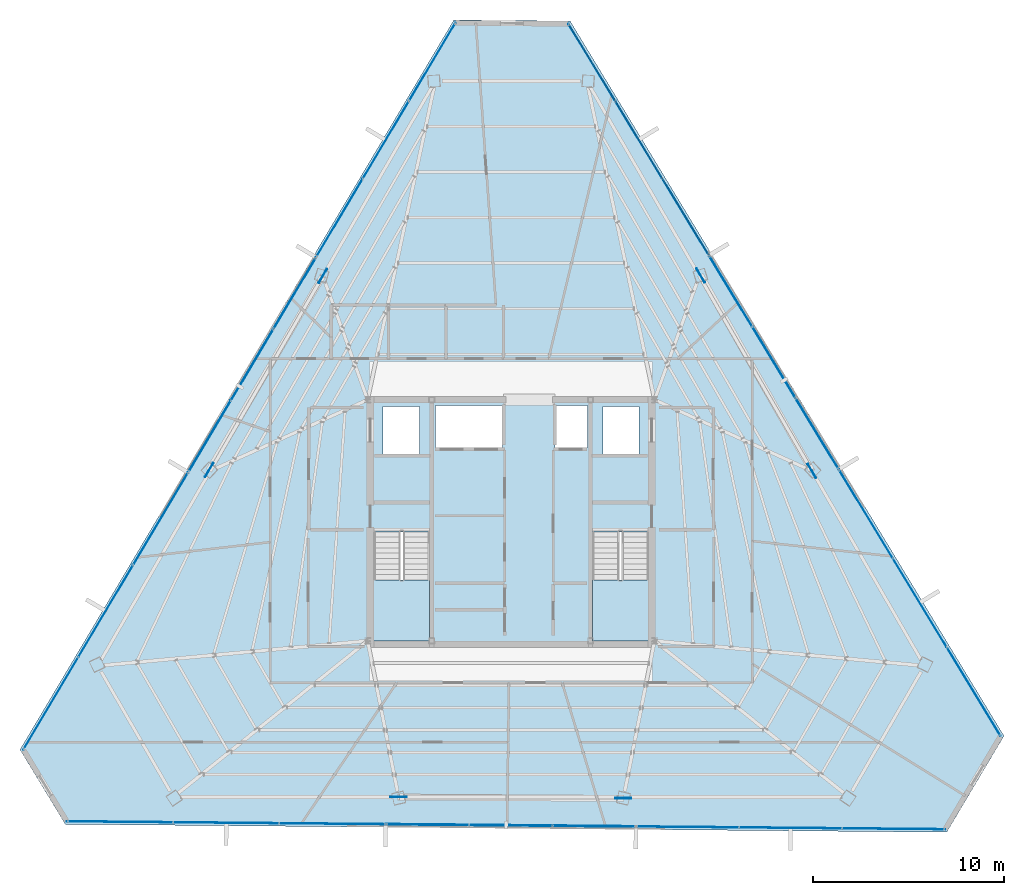
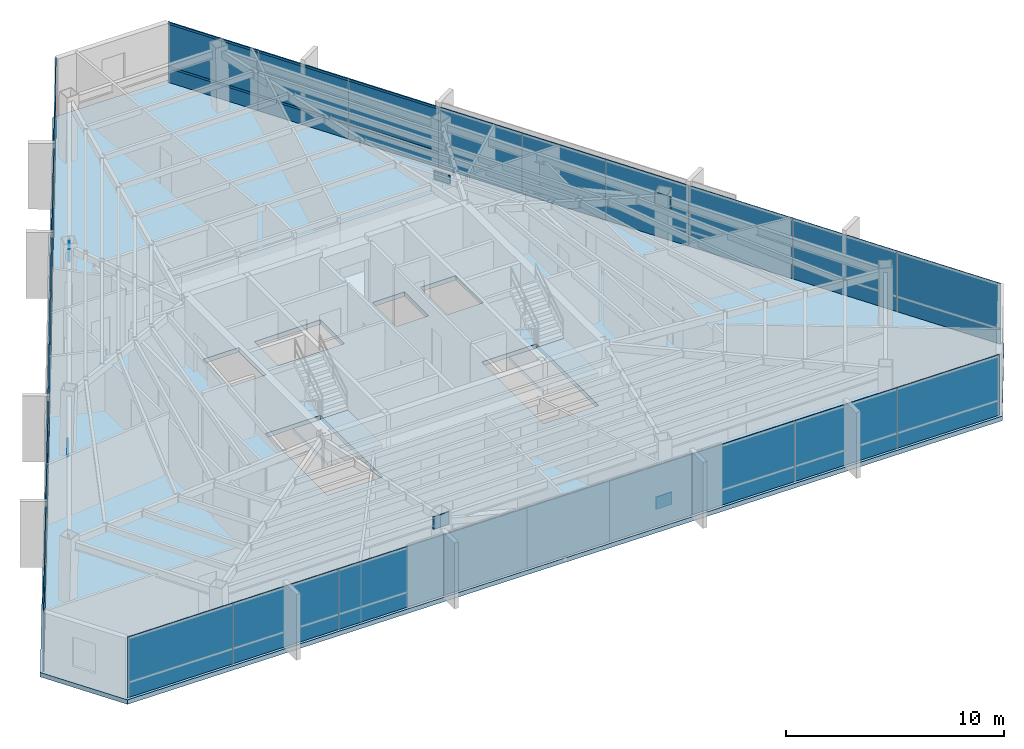
# One storey, part 37 of 47: 33 plates, 3 slabs, 2 members, 11 elements without a shape of their own.
"""IFC4 building model written with IfcOpenShell, lengths in metres."""

import ifcopenshell
import ifcopenshell.guid

model = None  # the IFC model being written
_history = None  # IfcOwnerHistory: only IFC2X3 demands one
_inside = {}  # id of a spatial element -> (the spatial element, [elements in it])
_under = {}  # id of a project, library or spatial element -> (it, [spatial elements below it])
_declared = {}  # id of a project -> (the project, [libraries it declares])
_typed = {}  # id of a type object -> (the type object, [elements of that type])
_made_of = {}  # id of a material, layer set ... -> (it, [elements and type objects made of it])


def new_model(schema):
    """Start an empty IFC model of exactly this schema.

    Asked for "IFC4X3", IfcOpenShell would pick the latest addendum, in which some entities
    have other attributes; the version numbers below select the first issue.
    IFC2X3 requires an IfcOwnerHistory on every rooted entity: one is made here for all.
    """
    global model, _history
    if schema == "IFC4X3":
        model = ifcopenshell.file(schema_version=(4, 3, 0, 0))
    else:
        model = ifcopenshell.file(schema=schema)
    _inside.clear()
    _under.clear()
    _declared.clear()
    _typed.clear()
    _made_of.clear()
    _history = None
    if model.schema == "IFC2X3":
        org = make("IfcOrganization", Name="unknown")
        user = make(
            "IfcPersonAndOrganization",
            ThePerson=make("IfcPerson", FamilyName="unknown"),
            TheOrganization=org,
        )
        app = make(
            "IfcApplication",
            ApplicationDeveloper=org,
            Version="unknown",
            ApplicationFullName="unknown",
            ApplicationIdentifier="unknown",
        )
        _history = make(
            "IfcOwnerHistory",
            OwningUser=user,
            OwningApplication=app,
            ChangeAction="ADDED",
            CreationDate=0,
        )
    return model


def make(cls, **values):
    """One entity of the class cls with the attributes given. An attribute that is None is left unset."""
    return model.create_entity(
        cls, **{name: value for name, value in values.items() if value is not None}
    )


def rooted(cls, **values):
    """An entity with a GlobalId (a new one), such as an element, a storey or a relation."""
    return make(cls, GlobalId=ifcopenshell.guid.new(), OwnerHistory=_history, **values)


def si_unit(unit_type, name, prefix=None):
    """IfcSIUnit, for example si_unit("LENGTHUNIT", "METRE", prefix="MILLI")."""
    return make("IfcSIUnit", UnitType=unit_type, Prefix=prefix, Name=name)


def assignment(units):
    """IfcUnitAssignment: the units of a project."""
    return None if units is None else make("IfcUnitAssignment", Units=units)


def point(xyz):
    """IfcCartesianPoint."""
    return None if xyz is None else make("IfcCartesianPoint", Coordinates=xyz)


def direction(xyz):
    """IfcDirection."""
    return None if xyz is None else make("IfcDirection", DirectionRatios=xyz)


def frame(location, z_axis=None, x_axis=None):
    """IfcAxis2Placement3D, a coordinate frame: its origin and axes. An axis left out is left unset."""
    return make(
        "IfcAxis2Placement3D",
        Location=point(location),
        Axis=direction(z_axis),
        RefDirection=direction(x_axis),
    )


def frame_2d(location, x_axis=None):
    """IfcAxis2Placement2D, a coordinate frame in the plane: its origin and x axis."""
    return make(
        "IfcAxis2Placement2D", Location=point(location), RefDirection=direction(x_axis)
    )


def origin():
    """The frame at (0, 0, 0) with its axes left unset."""
    return frame((0.0, 0.0, 0.0))


def origin_2d():
    """The frame at (0, 0) in the plane with its x axis left unset."""
    return frame_2d((0.0, 0.0))


def place(relative_to, where):
    """IfcLocalPlacement: puts the frame where relative to a parent placement (None: the world)."""
    return make(
        "IfcLocalPlacement", PlacementRelTo=relative_to, RelativePlacement=where
    )


def context(
    kind, dimensions, precision=None, world=None, true_north=None, identifier=None
):
    """IfcGeometricRepresentationContext, for example the 3D "Model" context."""
    return make(
        "IfcGeometricRepresentationContext",
        ContextIdentifier=identifier,
        ContextType=kind,
        CoordinateSpaceDimension=dimensions,
        Precision=precision,
        WorldCoordinateSystem=world,
        TrueNorth=true_north,
    )


def subcontext(parent, identifier, kind, view, scale=None):
    """IfcGeometricRepresentationSubContext, for example "Body" below "Model"."""
    return make(
        "IfcGeometricRepresentationSubContext",
        ContextIdentifier=identifier,
        ContextType=kind,
        ParentContext=parent,
        TargetScale=scale,
        TargetView=view,
    )


def project(units=None, contexts=None):
    """IfcProject with its units and contexts."""
    return rooted(
        "IfcProject",
        Name="project",
        RepresentationContexts=contexts,
        UnitsInContext=assignment(units),
    )


def spatial(cls, under=None, at=None, **own):
    """A site, building, storey or space (cls), placed at a placement, below another one or the project."""
    s = rooted(cls, ObjectPlacement=at, **own)
    if under is not None:
        _under.setdefault(under.id(), (under, []))[1].append(s)
    return s


def polyline(points):
    """IfcPolyline through the points."""
    return make("IfcPolyline", Points=[point(p) for p in points])


def profile(cls, at=None, kind="AREA", **sizes):
    """A parametric profile (cls). Its sizes go by their IFC names, for example OverallWidth=200.0."""
    return make(cls, ProfileType=kind, Position=at, **sizes)


def rectangle(**sizes):
    """IfcRectangleProfileDef."""
    return profile("IfcRectangleProfileDef", **sizes)


def hollow_rectangle(**sizes):
    """IfcRectangleHollowProfileDef."""
    return profile("IfcRectangleHollowProfileDef", **sizes)


def outline(outer, holes=None, kind="AREA"):
    """IfcArbitraryClosedProfileDef: a profile drawn as a closed curve; with holes, ...WithVoids."""
    if holes is None:
        return make("IfcArbitraryClosedProfileDef", ProfileType=kind, OuterCurve=outer)
    return make(
        "IfcArbitraryProfileDefWithVoids",
        ProfileType=kind,
        OuterCurve=outer,
        InnerCurves=holes,
    )


def extrude(swept, where, along, depth):
    """IfcExtrudedAreaSolid: the profile swept, set in the frame where, extruded along a direction by depth."""
    return make(
        "IfcExtrudedAreaSolid",
        SweptArea=swept,
        Position=where,
        ExtrudedDirection=direction(along),
        Depth=depth,
    )


def shape(context_of_items, identifier, shape_type, items):
    """IfcShapeRepresentation: the items that make up one representation, for example the "Body"."""
    return make(
        "IfcShapeRepresentation",
        ContextOfItems=context_of_items,
        RepresentationIdentifier=identifier,
        RepresentationType=shape_type,
        Items=items,
    )


def source(mapping_origin, context_of_items, identifier, shape_type, items):
    """IfcRepresentationMap: a shape defined once, which mapped items show again and again."""
    return make(
        "IfcRepresentationMap",
        MappingOrigin=mapping_origin,
        MappedRepresentation=shape(context_of_items, identifier, shape_type, items),
    )


def transform(
    local_origin,
    x_axis=None,
    y_axis=None,
    z_axis=None,
    scale=None,
    scale2=None,
    scale3=None,
    uniform=True,
):
    """IfcCartesianTransformationOperator3D, or its non-uniform kind. x_axis, y_axis, z_axis: its Axis1, 2, 3."""
    if uniform:
        return make(
            "IfcCartesianTransformationOperator3D",
            Axis1=direction(x_axis),
            Axis2=direction(y_axis),
            LocalOrigin=point(local_origin),
            Scale=scale,
            Axis3=direction(z_axis),
        )
    return make(
        "IfcCartesianTransformationOperator3DnonUniform",
        Axis1=direction(x_axis),
        Axis2=direction(y_axis),
        LocalOrigin=point(local_origin),
        Scale=scale,
        Axis3=direction(z_axis),
        Scale2=scale2,
        Scale3=scale3,
    )


def mapped(mapping_source, mapping_target):
    """IfcMappedItem: shows the shape of a source again, moved by a transform."""
    return make(
        "IfcMappedItem", MappingSource=mapping_source, MappingTarget=mapping_target
    )


def material(Name=None, Category=None):
    """IfcMaterial."""
    return make("IfcMaterial", Name=Name, Category=Category)


def layer(
    of_material, thickness, ventilated=None, Name=None, Category=None, Priority=None
):
    """IfcMaterialLayer: one layer of a wall or slab, of a material (None: an air gap)."""
    return make(
        "IfcMaterialLayer",
        Material=of_material,
        LayerThickness=thickness,
        IsVentilated=ventilated,
        Name=Name,
        Category=Category,
        Priority=Priority,
    )


def layer_set(layers, Name=None):
    """IfcMaterialLayerSet."""
    return make("IfcMaterialLayerSet", MaterialLayers=layers, LayerSetName=Name)


def material_profile(
    of_material, cross_section, Name=None, Category=None, Priority=None
):
    """IfcMaterialProfile: a cross section and its material."""
    return make(
        "IfcMaterialProfile",
        Name=Name,
        Material=of_material,
        Profile=cross_section,
        Priority=Priority,
        Category=Category,
    )


def profile_set(profiles, Name=None, composite=None):
    """IfcMaterialProfileSet."""
    return make(
        "IfcMaterialProfileSet",
        Name=Name,
        MaterialProfiles=profiles,
        CompositeProfile=composite,
    )


def made_of(thing, what):
    """Note that an element or type object is made of a material, layer set ...; save() writes the relation."""
    if what is not None:
        _made_of.setdefault(what.id(), (what, []))[1].append(thing)
    return thing


def type_object(cls, material=None, **own):
    """A type object (cls), such as IfcWallType, which elements share."""
    return made_of(rooted(cls, **own), material)


def type_shapes(of_type, sources):
    """Give a type object the sources (RepresentationMaps) that its elements show as mapped items."""
    of_type.RepresentationMaps = sources


def element(
    cls,
    number,
    at=None,
    inside=None,
    cuts=None,
    type_object=None,
    material=None,
    context=None,
    identifier="Body",
    shape_type=None,
    held_by="IfcProductDefinitionShape",
    body=None,
    shapes=None,
    **own,
):
    """One element of the class cls, such as IfcWall. Its Tag is "e" and its number.

    at: its placement. inside: the storey or other place that contains it. cuts: it is an
    opening in that element (IfcRelVoidsElement). A single representation is given by context,
    identifier, shape_type and body (its items); several are given by shapes. held_by: the class
    of the entity that holds the representations. save() writes the other relations.
    """
    e = rooted(cls, Tag="e%d" % number, ObjectPlacement=at, **own)
    if body is not None:
        shapes = [shape(context, identifier, shape_type, body)]
    if shapes is not None:
        e.Representation = make(held_by, Representations=shapes)
    if inside is not None:
        _inside.setdefault(inside.id(), (inside, []))[1].append(e)
    if cuts is not None:
        rooted(
            "IfcRelVoidsElement", RelatingBuildingElement=cuts, RelatedOpeningElement=e
        )
    if type_object is not None:
        _typed.setdefault(type_object.id(), (type_object, []))[1].append(e)
    return made_of(e, material)


def aggregate(whole, parts):
    """IfcRelAggregates: a whole, such as a stair, and the parts it consists of."""
    return rooted("IfcRelAggregates", RelatingObject=whole, RelatedObjects=parts)


def save(model, path):
    """Write the relations noted so far, then the file.

    IfcRelAggregates (storeys below a building ...), IfcRelContainedInSpatialStructure (elements
    in a storey), IfcRelDefinesByType, IfcRelAssociatesMaterial and IfcRelDeclares: one each for
    every whole, place, type object, material and project.
    """
    for whole, parts in _under.values():
        aggregate(whole, parts)
    for where, things in _inside.values():
        rooted(
            "IfcRelContainedInSpatialStructure",
            RelatedElements=things,
            RelatingStructure=where,
        )
    for kind, things in _typed.values():
        rooted("IfcRelDefinesByType", RelatedObjects=things, RelatingType=kind)
    for what, things in _made_of.values():
        rooted("IfcRelAssociatesMaterial", RelatedObjects=things, RelatingMaterial=what)
    for by, libraries in _declared.values():
        rooted("IfcRelDeclares", RelatingContext=by, RelatedDefinitions=libraries)
    model.write(path)


model = new_model("IFC4")

# Units and contexts
model_context = context("Model", 3, precision=1e-05, world=origin(), true_north=direction((0.0, 1.0)))
body_context = subcontext(model_context, "Body", "Model", "MODEL_VIEW")
ifc_project = project(units=[si_unit("LENGTHUNIT", "METRE"), si_unit("AREAUNIT", "SQUARE_METRE"), si_unit("VOLUMEUNIT", "CUBIC_METRE"), si_unit("PLANEANGLEUNIT", "RADIAN"), si_unit("MASSUNIT", "GRAM", prefix="KILO")], contexts=[model_context])

# Site, building, storey
site_placement = place(None, origin())
site = spatial("IfcSite", under=ifc_project, at=site_placement, CompositionType="ELEMENT")
building_placement = place(site_placement, origin())
building = spatial("IfcBuilding", under=site, at=building_placement, Name="Caelisora Broadcast Tower", CompositionType="ELEMENT")
storey_placement = place(building_placement, frame((0.0, 0.0, 248.10009765625)))
storey = spatial("IfcBuildingStorey", under=building, at=storey_placement, Name="L65", CompositionType="ELEMENT", Elevation=248.10009765625)

# Curtain wall, members
ifc_material_1 = material(Name="Unitised Aluminium and Low-E Glass Curtain Wall", Category="glass")
curtain_wall_type_1 = type_object("IfcCurtainWallType", Name="CW-Z5", PredefinedType="NOTDEFINED", material=ifc_material_1)
curtain_wall_1_placement = place(storey_placement, origin())
curtain_wall_1 = element("IfcCurtainWall", 1, at=curtain_wall_1_placement, inside=storey, type_object=curtain_wall_type_1, Name="L65 curtain wall CW-Z5", PredefinedType="NOTDEFINED")
ifc_material_2 = material(Name="Aluminium 6063-T6 Anodised Terracotta Bronze", Category="aluminium")
ifc_material_profile = material_profile(ifc_material_2, hollow_rectangle(XDim=0.06005859375, YDim=0.1201171875, WallThickness=0.0029296875, at=origin_2d()), Name="Aluminium 6063-T6 Anodised Terracotta Bronze")
ifc_profile_set = profile_set([ifc_material_profile], Name="Aluminium 6063-T6 Anodised Terracotta Bronze")
member_type = type_object("IfcMemberType", Name="CWT-03", PredefinedType="USERDEFINED", material=ifc_profile_set)
shared_shape_1 = source(origin(), body_context, "Body", "SweptSolid", [
    extrude(hollow_rectangle(XDim=0.06005859375, YDim=0.1201171875, WallThickness=0.0029296875, at=origin_2d()), origin(), (0.0, 0.0, 1.0), 14.0498046875),
])
type_shapes(member_type, [shared_shape_1])
member_1_placement = place(storey_placement, frame((41.02783203125, 49.6083984375, 0.849853515625), z_axis=(0.518805358502, -0.854892390883, 0.0), x_axis=(0.854892390883, 0.518805358502, 0.0)))
member_1 = element("IfcMember", 2, at=member_1_placement, type_object=member_type, Name="L65-CW-B01 transom #1", ObjectType="TRANSOM", PredefinedType="USERDEFINED", context=body_context, shape_type="MappedRepresentation", body=[
    mapped(shared_shape_1, transform((0.0, 0.0, 0.0), scale=1.0)),
])
member_2_placement = place(storey_placement, frame((41.02783203125, 49.6083984375, 3.31982421875), z_axis=(0.518805358502, -0.854892390883, 0.0), x_axis=(0.854892390883, 0.518805358502, 0.0)))
member_2 = element("IfcMember", 3, at=member_2_placement, type_object=member_type, Name="L65-CW-B01 transom #2", ObjectType="TRANSOM", PredefinedType="USERDEFINED", context=body_context, shape_type="MappedRepresentation", body=[
    mapped(shared_shape_1, transform((0.0, 0.0, 0.0), scale=1.0)),
])

# Slab
ifc_material_3 = material(Name="Concrete 40 MPa (AS 3600 N40)", Category="concrete")
ifc_layer_1 = layer(ifc_material_3, 0.25, Name="Concrete 40 MPa (AS 3600 N40)")
ifc_layer_set_1 = layer_set([ifc_layer_1], Name="Concrete 40 MPa (AS 3600 N40)")
slab_type_1 = type_object("IfcSlabType", Name="SL04", PredefinedType="FLOOR", material=ifc_layer_set_1)
slab_1_placement = place(storey_placement, frame((0.0, 0.0, -0.25)))
element("IfcSlab", 4, at=slab_1_placement, inside=storey, type_object=slab_type_1, Name="L65 suspended floor SL04", PredefinedType="FLOOR", context=body_context, shape_type="SweptSolid", body=[
    extrude(outline(polyline([(41.0869140625, 49.800048828125), (35.008056640625, 49.85498046875), (12.3291015625, 11.7119140625), (14.695068359375, 7.81298828125), (60.77490234375, 7.39599609375), (63.76708984375, 12.427978515625), (41.0869140625, 49.800048828125)]), holes=[polyline([(30.820068359375, 17.39990234375), (33.739990234375, 17.39990234375), (33.739990234375, 23.080078125), (30.820068359375, 23.080078125), (30.820068359375, 17.39990234375)]), polyline([(42.260009765625, 17.39990234375), (45.179931640625, 17.39990234375), (45.179931640625, 23.080078125), (42.260009765625, 23.080078125), (42.260009765625, 17.39990234375)]), polyline([(42.800048828125, 27.14990234375), (44.699951171875, 27.14990234375), (44.699951171875, 29.64990234375), (42.800048828125, 29.64990234375), (42.800048828125, 27.14990234375)]), polyline([(40.300048828125, 27.5), (42.0, 27.5), (42.0, 29.699951171875), (40.300048828125, 29.699951171875), (40.300048828125, 27.5)]), polyline([(34.050048828125, 27.5), (37.550048828125, 27.5), (37.550048828125, 29.699951171875), (34.050048828125, 29.699951171875), (34.050048828125, 27.5)]), polyline([(31.300048828125, 27.14990234375), (33.199951171875, 27.14990234375), (33.199951171875, 29.64990234375), (31.300048828125, 29.64990234375), (31.300048828125, 27.14990234375)])]), origin(), (0.0, 0.0, 1.0), 0.25),
])

# Stair, slab
stair_type_1 = type_object("IfcStairType", Name="ST-1", PredefinedType="HALF_TURN_STAIR", material=ifc_material_3)
stair_1_placement = place(storey_placement, origin())
stair_1 = element("IfcStair", 5, at=stair_1_placement, inside=storey, type_object=stair_type_1, Name="L65 West Fire-Isolated Tower Stair", PredefinedType="HALF_TURN_STAIR")
ifc_layer_2 = layer(ifc_material_3, 0.199951171875, Name="Concrete 40 MPa (AS 3600 N40)")
ifc_layer_set_2 = layer_set([ifc_layer_2], Name="Concrete 40 MPa (AS 3600 N40)")
slab_type_2 = type_object("IfcSlabType", Name="STL-1", PredefinedType="LANDING", material=ifc_layer_set_2)
slab_2_placement = place(storey_placement, frame((0.0, 0.0, 1.625)))
slab_2 = element("IfcSlab", 6, at=slab_2_placement, type_object=slab_type_2, Name="ST-1 landing 1", PredefinedType="LANDING", context=body_context, shape_type="SweptSolid", body=[
    extrude(outline(polyline([(30.820068359375, 20.580078125), (30.820068359375, 17.39990234375), (33.739990234375, 17.39990234375), (33.739990234375, 20.580078125), (30.820068359375, 20.580078125)])), origin(), (0.0, 0.0, 1.0), 0.199951171875),
])
aggregate(stair_1, [slab_2])

stair_type_2 = type_object("IfcStairType", Name="ST-2", PredefinedType="HALF_TURN_STAIR", material=ifc_material_3)
stair_2_placement = place(storey_placement, origin())
stair_2 = element("IfcStair", 7, at=stair_2_placement, inside=storey, type_object=stair_type_2, Name="L65 East Fire-Isolated Tower Stair", PredefinedType="HALF_TURN_STAIR")
slab_3_placement = place(storey_placement, frame((0.0, 0.0, 1.625)))
slab_3 = element("IfcSlab", 8, at=slab_3_placement, type_object=slab_type_2, Name="ST-2 landing 1", PredefinedType="LANDING", context=body_context, shape_type="SweptSolid", body=[
    extrude(outline(polyline([(42.260009765625, 20.580078125), (42.260009765625, 17.39990234375), (45.179931640625, 17.39990234375), (45.179931640625, 20.580078125), (42.260009765625, 20.580078125)])), origin(), (0.0, 0.0, 1.0), 0.199951171875),
])
aggregate(stair_2, [slab_3])

# Plates
ifc_material_4 = material(Name="Steel Grade 350 L15 (AS/NZS 3678)", Category="steel")
ifc_layer_3 = layer(ifc_material_4, 0.0400390625, Name="Steel Grade 350 L15 (AS/NZS 3678)")
ifc_layer_set_3 = layer_set([ifc_layer_3], Name="Steel Grade 350 L15 (AS/NZS 3678)")
plate_type_1 = type_object("IfcPlateType", Name="GP04", PredefinedType="USERDEFINED", material=ifc_layer_set_3)
shared_shape_2 = source(origin(), body_context, "Body", "SweptSolid", [
    extrude(rectangle(XDim=0.85009765625, YDim=0.0400390625, at=origin_2d()), origin(), (0.0, 0.0, 1.0), 0.699951171875),
])
type_shapes(plate_type_1, [shared_shape_2])
for number, where, z_axis, x_axis, name in (
    (9, (28.1591796875, 36.4755859375, 2.72998046875), (0.0, 0.0, 1.0), (-0.5, -0.866025403784, 0.0), "L65 gusset plate GP04 (ND-L65-C02T)"),
    (10, (22.220947265625, 26.3349609375, -0.22998046875), (0.0, 0.0, 1.0), (-0.5, -0.866025403784, 0.0), "L65 gusset plate GP04 (ND-L65-C03B)"),
    (11, (32.1162109375, 9.23974609375, 2.72998046875), (0.0, 0.0, 1.0), (1.0, 0.0, 0.0), "L65 gusset plate GP04 (ND-L65-C06T)"),
    (12, (43.867431640625, 9.16748046875, -0.22998046875), (0.0, 0.0, 1.0), (1.0, 0.0, 0.0), "L65 gusset plate GP04 (ND-L65-C07B)"),
    (13, (53.724609375, 26.28466796875, 2.72998046875), (0.0, 0.0, 1.0), (-0.5, 0.866025403784, 0.0), "L65 gusset plate GP04 (ND-L65-C10T)"),
    (14, (47.91162109375, 36.49755859375, -0.22998046875), (0.0, 0.0, 1.0), (-0.5, 0.866025403784, 0.0), "L65 gusset plate GP04 (ND-L65-C11B)"),
):
    element("IfcPlate", number, at=place(storey_placement, frame(where, z_axis=z_axis, x_axis=x_axis)), inside=storey, type_object=plate_type_1, Name=name, ObjectType="GUSSET PLATE", PredefinedType="USERDEFINED", context=body_context, shape_type="MappedRepresentation", body=[
        mapped(shared_shape_2, transform((0.0, 0.0, 0.0), scale=1.0)),
    ])

# Plate
ifc_material_5 = material(Name="Double Glazed Low-E Argon IGU", Category="glass")
ifc_layer_4 = layer(ifc_material_5, 0.028076171875, Name="Double Glazed Low-E Argon IGU")
ifc_layer_set_4 = layer_set([ifc_layer_4], Name="Double Glazed Low-E Argon IGU")
plate_type_2 = type_object("IfcPlateType", Name="CWP-06", PredefinedType="CURTAIN_PANEL", material=ifc_layer_set_4)
shared_shape_3 = source(origin(), body_context, "Body", "SweptSolid", [
    extrude(rectangle(XDim=4.716552734375, YDim=0.028076171875, at=origin_2d()), origin(), (0.0, 0.0, 1.0), 3.39990234375),
])
plate_1_placement = place(storey_placement, frame((42.2255859375, 47.635009765625, 0.0), z_axis=(0.0, 0.0, 1.0), x_axis=(0.518773258161, -0.854911870673, 0.0)))
plate_1 = element("IfcPlate", 15, at=plate_1_placement, type_object=plate_type_2, Name="L65-CW-B01 glazed panel #1", PredefinedType="CURTAIN_PANEL", context=body_context, shape_type="MappedRepresentation", body=[
    mapped(shared_shape_3, transform((0.0, 0.0, 0.0), scale=1.0)),
])

plate_2_placement = place(storey_placement, frame((44.67236328125, 43.602783203125, 0.0), z_axis=(0.0, 0.0, 1.0), x_axis=(0.518773258161, -0.854911870673, 0.0)))
plate_2 = element("IfcPlate", 16, at=plate_2_placement, type_object=plate_type_2, Name="L65-CW-B01 glazed panel #2", PredefinedType="CURTAIN_PANEL", context=body_context, shape_type="MappedRepresentation", body=[
    mapped(shared_shape_3, transform((0.0, 0.0, 0.0), scale=1.0)),
])

plate_3_placement = place(storey_placement, frame((47.119384765625, 39.57080078125, 0.0), z_axis=(0.0, 0.0, 1.0), x_axis=(0.518773258161, -0.854911870673, 0.0)))
plate_3 = element("IfcPlate", 17, at=plate_3_placement, type_object=plate_type_2, Name="L65-CW-B01 glazed panel #3", PredefinedType="CURTAIN_PANEL", context=body_context, shape_type="MappedRepresentation", body=[
    mapped(shared_shape_3, transform((0.0, 0.0, 0.0), scale=1.0)),
])

aggregate(curtain_wall_1, [member_1, member_2, plate_1, plate_2, plate_3])

# Curtain wall, plates
ifc_material_6 = material(Name="Unitised Aluminium Insulated Shadow-Box Spandrel Curtain Wall", Category="aluminium")
curtain_wall_type_2 = type_object("IfcCurtainWallType", Name="CW-SP3", PredefinedType="NOTDEFINED", material=ifc_material_6)
curtain_wall_2_placement = place(storey_placement, origin())
curtain_wall_2 = element("IfcCurtainWall", 18, at=curtain_wall_2_placement, inside=storey, type_object=curtain_wall_type_2, Name="L65 curtain wall CW-SP3", PredefinedType="NOTDEFINED")
ifc_material_7 = material(Name="Insulated Terracotta Shadow-Box Spandrel Panel", Category="aluminium")
ifc_layer_5 = layer(ifc_material_7, 0.0439453125, Name="Insulated Terracotta Shadow-Box Spandrel Panel")
ifc_layer_set_5 = layer_set([ifc_layer_5], Name="Insulated Terracotta Shadow-Box Spandrel Panel")
plate_type_3 = type_object("IfcPlateType", Name="CWP-10", PredefinedType="CURTAIN_PANEL", material=ifc_layer_set_5)
shared_shape_4 = source(origin(), body_context, "Body", "SweptSolid", [
    extrude(rectangle(XDim=4.357421875, YDim=0.0439453125, at=origin_2d()), origin(), (0.0, 0.0, 1.0), 3.39990234375),
])
plate_4_placement = place(storey_placement, frame((49.478515625, 35.68359375, 0.0), z_axis=(0.0, 0.0, 1.0), x_axis=(0.518773258161, -0.854911870673, 0.0)))
plate_4 = element("IfcPlate", 19, at=plate_4_placement, type_object=plate_type_3, Name="L65-CW-B02 spandrel panel #1", PredefinedType="CURTAIN_PANEL", context=body_context, shape_type="MappedRepresentation", body=[
    mapped(shared_shape_4, transform((0.0, 0.0, 0.0), scale=1.0)),
])
plate_5_placement = place(storey_placement, frame((51.739013671875, 31.95849609375, 0.0), z_axis=(0.0, 0.0, 1.0), x_axis=(0.518773258161, -0.854911870673, 0.0)))
plate_5 = element("IfcPlate", 20, at=plate_5_placement, type_object=plate_type_3, Name="L65-CW-B02 spandrel panel #2", PredefinedType="CURTAIN_PANEL", context=body_context, shape_type="MappedRepresentation", body=[
    mapped(shared_shape_4, transform((0.0, 0.0, 0.0), scale=1.0)),
])
plate_6_placement = place(storey_placement, frame((53.99951171875, 28.233642578125, 0.0), z_axis=(0.0, 0.0, 1.0), x_axis=(0.518773258161, -0.854911870673, 0.0)))
plate_6 = element("IfcPlate", 21, at=plate_6_placement, type_object=plate_type_3, Name="L65-CW-B02 spandrel panel #3", PredefinedType="CURTAIN_PANEL", context=body_context, shape_type="MappedRepresentation", body=[
    mapped(shared_shape_4, transform((0.0, 0.0, 0.0), scale=1.0)),
])
aggregate(curtain_wall_2, [plate_4, plate_5, plate_6])

curtain_wall_3_placement = place(storey_placement, origin())
curtain_wall_3 = element("IfcCurtainWall", 22, at=curtain_wall_3_placement, inside=storey, type_object=curtain_wall_type_1, Name="L65 curtain wall CW-Z5", PredefinedType="NOTDEFINED")
shared_shape_5 = source(origin(), body_context, "Body", "SweptSolid", [
    extrude(rectangle(XDim=5.43359375, YDim=0.028076171875, at=origin_2d()), origin(), (0.0, 0.0, 1.0), 3.39990234375),
])
plate_7_placement = place(storey_placement, frame((56.54443359375, 24.039794921875, 0.0), z_axis=(0.0, 0.0, 1.0), x_axis=(0.518773258161, -0.854911870673, 0.0)))
plate_7 = element("IfcPlate", 23, at=plate_7_placement, type_object=plate_type_2, Name="L65-CW-B03 glazed panel #1", PredefinedType="CURTAIN_PANEL", context=body_context, shape_type="MappedRepresentation", body=[
    mapped(shared_shape_5, transform((0.0, 0.0, 0.0), scale=1.0)),
])
plate_8_placement = place(storey_placement, frame((59.363525390625, 19.394775390625, 0.0), z_axis=(0.0, 0.0, 1.0), x_axis=(0.518773258161, -0.854911870673, 0.0)))
plate_8 = element("IfcPlate", 24, at=plate_8_placement, type_object=plate_type_2, Name="L65-CW-B03 glazed panel #2", PredefinedType="CURTAIN_PANEL", context=body_context, shape_type="MappedRepresentation", body=[
    mapped(shared_shape_5, transform((0.0, 0.0, 0.0), scale=1.0)),
])
plate_9_placement = place(storey_placement, frame((62.1826171875, 14.74951171875, 0.0), z_axis=(0.0, 0.0, 1.0), x_axis=(0.518773258161, -0.854911870673, 0.0)))
plate_9 = element("IfcPlate", 25, at=plate_9_placement, type_object=plate_type_2, Name="L65-CW-B03 glazed panel #3", PredefinedType="CURTAIN_PANEL", context=body_context, shape_type="MappedRepresentation", body=[
    mapped(shared_shape_5, transform((0.0, 0.0, 0.0), scale=1.0)),
])
aggregate(curtain_wall_3, [plate_7, plate_8, plate_9])

curtain_wall_4_placement = place(storey_placement, origin())
curtain_wall_4 = element("IfcCurtainWall", 26, at=curtain_wall_4_placement, inside=storey, type_object=curtain_wall_type_1, Name="L65 curtain wall CW-Z5", PredefinedType="NOTDEFINED")
shared_shape_6 = source(origin(), body_context, "Body", "SweptSolid", [
    extrude(rectangle(XDim=5.385498046875, YDim=0.028076171875, at=origin_2d()), origin(), (0.0, 0.0, 1.0), 3.39990234375),
])
plate_10_placement = place(storey_placement, frame((57.997314453125, 7.5712890625, 0.0), z_axis=(0.0, 0.0, 1.0), x_axis=(-0.999958816008, 0.009075587519, 0.0)))
plate_10 = element("IfcPlate", 27, at=plate_10_placement, type_object=plate_type_2, Name="L65-CW-B05 glazed panel #1", PredefinedType="CURTAIN_PANEL", context=body_context, shape_type="MappedRepresentation", body=[
    mapped(shared_shape_6, transform((0.0, 0.0, 0.0), scale=1.0)),
])
plate_11_placement = place(storey_placement, frame((52.612060546875, 7.6201171875, 0.0), z_axis=(0.0, 0.0, 1.0), x_axis=(-0.999958816008, 0.009075587519, 0.0)))
plate_11 = element("IfcPlate", 28, at=plate_11_placement, type_object=plate_type_2, Name="L65-CW-B05 glazed panel #2", PredefinedType="CURTAIN_PANEL", context=body_context, shape_type="MappedRepresentation", body=[
    mapped(shared_shape_6, transform((0.0, 0.0, 0.0), scale=1.0)),
])
plate_12_placement = place(storey_placement, frame((47.226806640625, 7.668701171875, 0.0), z_axis=(0.0, 0.0, 1.0), x_axis=(-0.999958816008, 0.009075587519, 0.0)))
plate_12 = element("IfcPlate", 29, at=plate_12_placement, type_object=plate_type_2, Name="L65-CW-B05 glazed panel #3", PredefinedType="CURTAIN_PANEL", context=body_context, shape_type="MappedRepresentation", body=[
    mapped(shared_shape_6, transform((0.0, 0.0, 0.0), scale=1.0)),
])
aggregate(curtain_wall_4, [plate_10, plate_11, plate_12])

curtain_wall_5_placement = place(storey_placement, origin())
curtain_wall_5 = element("IfcCurtainWall", 30, at=curtain_wall_5_placement, inside=storey, type_object=curtain_wall_type_2, Name="L65 curtain wall CW-SP3", PredefinedType="NOTDEFINED")
shared_shape_7 = source(origin(), body_context, "Body", "SweptSolid", [
    extrude(rectangle(XDim=4.358154296875, YDim=0.0439453125, at=origin_2d()), origin(), (0.0, 0.0, 1.0), 3.39990234375),
])
plate_13_placement = place(storey_placement, frame((42.34521484375, 7.712890625, 0.0), z_axis=(0.0, 0.0, 1.0), x_axis=(-0.999958816008, 0.009075587519, 0.0)))
plate_13 = element("IfcPlate", 31, at=plate_13_placement, type_object=plate_type_3, Name="L65-CW-B06 spandrel panel #1", PredefinedType="CURTAIN_PANEL", context=body_context, shape_type="MappedRepresentation", body=[
    mapped(shared_shape_7, transform((0.0, 0.0, 0.0), scale=1.0)),
])
plate_14_placement = place(storey_placement, frame((37.9873046875, 7.752197265625, 0.0), z_axis=(0.0, 0.0, 1.0), x_axis=(-0.999958816008, 0.009075587519, 0.0)))
plate_14 = element("IfcPlate", 32, at=plate_14_placement, type_object=plate_type_3, Name="L65-CW-B06 spandrel panel #2", PredefinedType="CURTAIN_PANEL", context=body_context, shape_type="MappedRepresentation", body=[
    mapped(shared_shape_7, transform((0.0, 0.0, 0.0), scale=1.0)),
])
plate_15_placement = place(storey_placement, frame((33.62939453125, 7.79150390625, 0.0), z_axis=(0.0, 0.0, 1.0), x_axis=(-0.999958816008, 0.009075587519, 0.0)))
plate_15 = element("IfcPlate", 33, at=plate_15_placement, type_object=plate_type_3, Name="L65-CW-B06 spandrel panel #3", PredefinedType="CURTAIN_PANEL", context=body_context, shape_type="MappedRepresentation", body=[
    mapped(shared_shape_7, transform((0.0, 0.0, 0.0), scale=1.0)),
])
aggregate(curtain_wall_5, [plate_13, plate_14, plate_15])

curtain_wall_6_placement = place(storey_placement, origin())
curtain_wall_6 = element("IfcCurtainWall", 34, at=curtain_wall_6_placement, inside=storey, type_object=curtain_wall_type_1, Name="L65 curtain wall CW-Z5", PredefinedType="NOTDEFINED")
shared_shape_8 = source(origin(), body_context, "Body", "SweptSolid", [
    extrude(rectangle(XDim=5.5537109375, YDim=0.028076171875, at=origin_2d()), origin(), (0.0, 0.0, 1.0), 3.39990234375),
])
plate_16_placement = place(storey_placement, frame((28.66357421875, 7.83642578125, 0.0), z_axis=(0.0, 0.0, 1.0), x_axis=(-0.999958816008, 0.009075587519, 0.0)))
plate_16 = element("IfcPlate", 35, at=plate_16_placement, type_object=plate_type_2, Name="L65-CW-B07 glazed panel #1", PredefinedType="CURTAIN_PANEL", context=body_context, shape_type="MappedRepresentation", body=[
    mapped(shared_shape_8, transform((0.0, 0.0, 0.0), scale=1.0)),
])
plate_17_placement = place(storey_placement, frame((23.110107421875, 7.88671875, 0.0), z_axis=(0.0, 0.0, 1.0), x_axis=(-0.999958816008, 0.009075587519, 0.0)))
plate_17 = element("IfcPlate", 36, at=plate_17_placement, type_object=plate_type_2, Name="L65-CW-B07 glazed panel #2", PredefinedType="CURTAIN_PANEL", context=body_context, shape_type="MappedRepresentation", body=[
    mapped(shared_shape_8, transform((0.0, 0.0, 0.0), scale=1.0)),
])
plate_18_placement = place(storey_placement, frame((17.556640625, 7.93701171875, 0.0), z_axis=(0.0, 0.0, 1.0), x_axis=(-0.999958816008, 0.009075587519, 0.0)))
plate_18 = element("IfcPlate", 37, at=plate_18_placement, type_object=plate_type_2, Name="L65-CW-B07 glazed panel #3", PredefinedType="CURTAIN_PANEL", context=body_context, shape_type="MappedRepresentation", body=[
    mapped(shared_shape_8, transform((0.0, 0.0, 0.0), scale=1.0)),
])
aggregate(curtain_wall_6, [plate_16, plate_17, plate_18])

curtain_wall_7_placement = place(storey_placement, origin())
curtain_wall_7 = element("IfcCurtainWall", 38, at=curtain_wall_7_placement, inside=storey, type_object=curtain_wall_type_1, Name="L65 curtain wall CW-Z5", PredefinedType="NOTDEFINED")
shared_shape_9 = source(origin(), body_context, "Body", "SweptSolid", [
    extrude(rectangle(XDim=5.6181640625, YDim=0.028076171875, at=origin_2d()), origin(), (0.0, 0.0, 1.0), 3.39990234375),
])
plate_19_placement = place(storey_placement, frame((13.939697265625, 14.12744140625, 0.0), z_axis=(0.0, 0.0, 1.0), x_axis=(0.511143083575, 0.859495635889, 0.0)))
plate_19 = element("IfcPlate", 39, at=plate_19_placement, type_object=plate_type_2, Name="L65-CW-B09 glazed panel #1", PredefinedType="CURTAIN_PANEL", context=body_context, shape_type="MappedRepresentation", body=[
    mapped(shared_shape_9, transform((0.0, 0.0, 0.0), scale=1.0)),
])
plate_20_placement = place(storey_placement, frame((16.810791015625, 18.956298828125, 0.0), z_axis=(0.0, 0.0, 1.0), x_axis=(0.511143083575, 0.859495635889, 0.0)))
plate_20 = element("IfcPlate", 40, at=plate_20_placement, type_object=plate_type_2, Name="L65-CW-B09 glazed panel #2", PredefinedType="CURTAIN_PANEL", context=body_context, shape_type="MappedRepresentation", body=[
    mapped(shared_shape_9, transform((0.0, 0.0, 0.0), scale=1.0)),
])
plate_21_placement = place(storey_placement, frame((19.68212890625, 23.785400390625, 0.0), z_axis=(0.0, 0.0, 1.0), x_axis=(0.511143083575, 0.859495635889, 0.0)))
plate_21 = element("IfcPlate", 41, at=plate_21_placement, type_object=plate_type_2, Name="L65-CW-B09 glazed panel #3", PredefinedType="CURTAIN_PANEL", context=body_context, shape_type="MappedRepresentation", body=[
    mapped(shared_shape_9, transform((0.0, 0.0, 0.0), scale=1.0)),
])
aggregate(curtain_wall_7, [plate_19, plate_20, plate_21])

curtain_wall_8_placement = place(storey_placement, origin())
curtain_wall_8 = element("IfcCurtainWall", 42, at=curtain_wall_8_placement, inside=storey, type_object=curtain_wall_type_2, Name="L65 curtain wall CW-SP3", PredefinedType="NOTDEFINED")
shared_shape_10 = source(origin(), body_context, "Body", "SweptSolid", [
    extrude(rectangle(XDim=4.35791015625, YDim=0.0439453125, at=origin_2d()), origin(), (0.0, 0.0, 1.0), 3.39990234375),
])
type_shapes(plate_type_3, [shared_shape_4, shared_shape_7, shared_shape_10])
plate_22_placement = place(storey_placement, frame((22.236328125, 28.081298828125, 0.0), z_axis=(0.0, 0.0, 1.0), x_axis=(0.511143083575, 0.859495635889, 0.0)))
plate_22 = element("IfcPlate", 43, at=plate_22_placement, type_object=plate_type_3, Name="L65-CW-B10 spandrel panel #1", PredefinedType="CURTAIN_PANEL", context=body_context, shape_type="MappedRepresentation", body=[
    mapped(shared_shape_10, transform((0.0, 0.0, 0.0), scale=1.0)),
])
plate_23_placement = place(storey_placement, frame((24.463623046875, 31.8271484375, 0.0), z_axis=(0.0, 0.0, 1.0), x_axis=(0.511143083575, 0.859495635889, 0.0)))
plate_23 = element("IfcPlate", 44, at=plate_23_placement, type_object=plate_type_3, Name="L65-CW-B10 spandrel panel #2", PredefinedType="CURTAIN_PANEL", context=body_context, shape_type="MappedRepresentation", body=[
    mapped(shared_shape_10, transform((0.0, 0.0, 0.0), scale=1.0)),
])
plate_24_placement = place(storey_placement, frame((26.69091796875, 35.572998046875, 0.0), z_axis=(0.0, 0.0, 1.0), x_axis=(0.511143083575, 0.859495635889, 0.0)))
plate_24 = element("IfcPlate", 45, at=plate_24_placement, type_object=plate_type_3, Name="L65-CW-B10 spandrel panel #3", PredefinedType="CURTAIN_PANEL", context=body_context, shape_type="MappedRepresentation", body=[
    mapped(shared_shape_10, transform((0.0, 0.0, 0.0), scale=1.0)),
])
aggregate(curtain_wall_8, [plate_22, plate_23, plate_24])

curtain_wall_9_placement = place(storey_placement, origin())
curtain_wall_9 = element("IfcCurtainWall", 46, at=curtain_wall_9_placement, inside=storey, type_object=curtain_wall_type_1, Name="L65 curtain wall CW-Z5", PredefinedType="NOTDEFINED")
shared_shape_11 = source(origin(), body_context, "Body", "SweptSolid", [
    extrude(rectangle(XDim=4.75048828125, YDim=0.028076171875, at=origin_2d()), origin(), (0.0, 0.0, 1.0), 3.39990234375),
])
type_shapes(plate_type_2, [shared_shape_3, shared_shape_5, shared_shape_6, shared_shape_8, shared_shape_9, shared_shape_11])
plate_25_placement = place(storey_placement, frame((29.0234375, 39.49609375, 0.0), z_axis=(0.0, 0.0, 1.0), x_axis=(0.511143083575, 0.859495635889, 0.0)))
plate_25 = element("IfcPlate", 47, at=plate_25_placement, type_object=plate_type_2, Name="L65-CW-B11 glazed panel #1", PredefinedType="CURTAIN_PANEL", context=body_context, shape_type="MappedRepresentation", body=[
    mapped(shared_shape_11, transform((0.0, 0.0, 0.0), scale=1.0)),
])
plate_26_placement = place(storey_placement, frame((31.451416015625, 43.5791015625, 0.0), z_axis=(0.0, 0.0, 1.0), x_axis=(0.511143083575, 0.859495635889, 0.0)))
plate_26 = element("IfcPlate", 48, at=plate_26_placement, type_object=plate_type_2, Name="L65-CW-B11 glazed panel #2", PredefinedType="CURTAIN_PANEL", context=body_context, shape_type="MappedRepresentation", body=[
    mapped(shared_shape_11, transform((0.0, 0.0, 0.0), scale=1.0)),
])
plate_27_placement = place(storey_placement, frame((33.879150390625, 47.662353515625, 0.0), z_axis=(0.0, 0.0, 1.0), x_axis=(0.511143083575, 0.859495635889, 0.0)))
plate_27 = element("IfcPlate", 49, at=plate_27_placement, type_object=plate_type_2, Name="L65-CW-B11 glazed panel #3", PredefinedType="CURTAIN_PANEL", context=body_context, shape_type="MappedRepresentation", body=[
    mapped(shared_shape_11, transform((0.0, 0.0, 0.0), scale=1.0)),
])
aggregate(curtain_wall_9, [plate_25, plate_26, plate_27])

save(model, "model.ifc")
